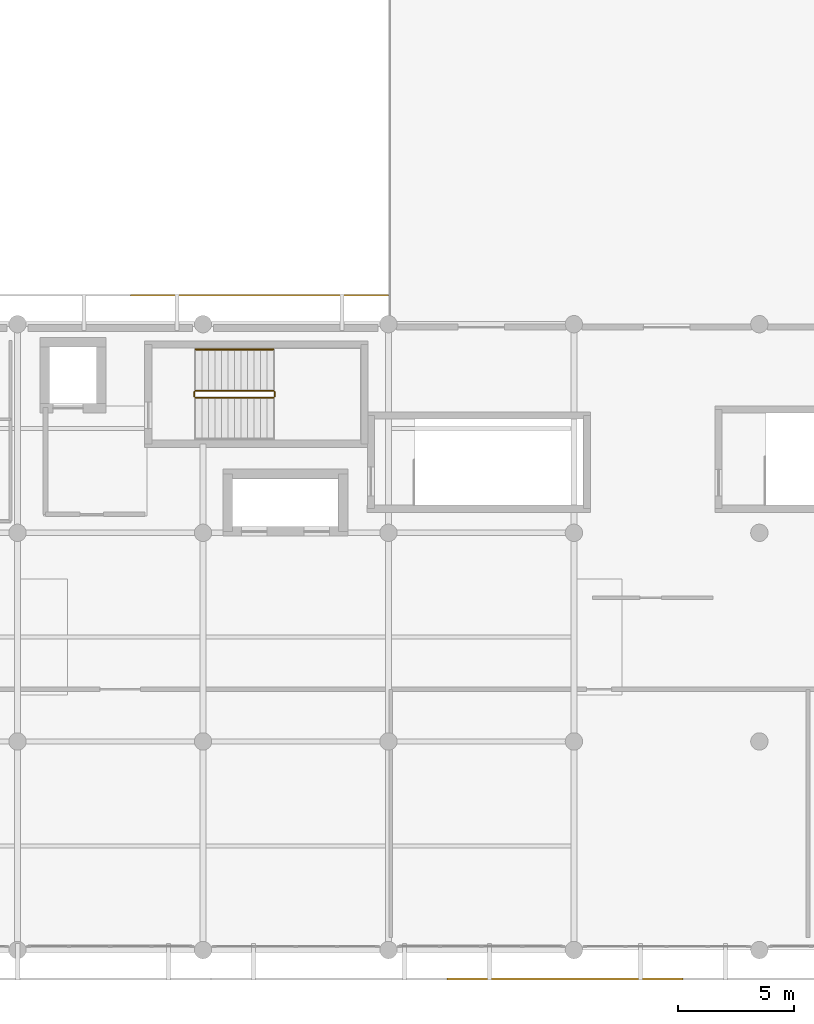
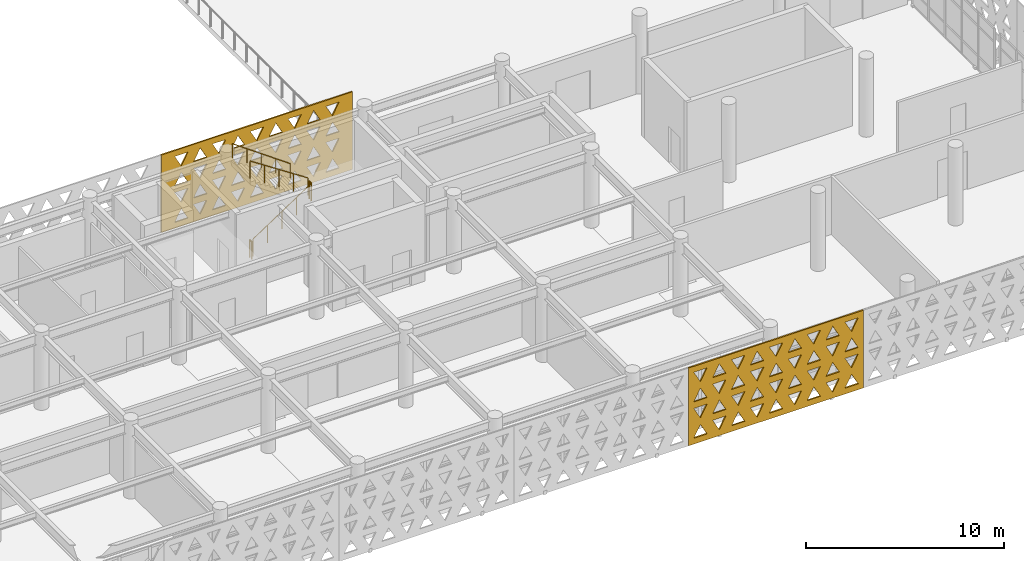
# One storey, part 31 of 33: 5 railings, 2 coverings.
"""IFC4 building model written with IfcOpenShell, lengths in metres."""

from ifc_helpers import new_model, si_unit, direction, frame, origin, origin_2d, place, context, subcontext, project, spatial, polyline, circle, outline, extrude, material, layer, layer_set, type_object, element, save


model = new_model("IFC4")

# Units and contexts
model_context = context("Model", 3, precision=1e-05, world=origin(), true_north=direction((0.0, 1.0)))
body_context = subcontext(model_context, "Body", "Model", "MODEL_VIEW")
ifc_project = project(units=[si_unit("LENGTHUNIT", "METRE"), si_unit("AREAUNIT", "SQUARE_METRE"), si_unit("VOLUMEUNIT", "CUBIC_METRE"), si_unit("PLANEANGLEUNIT", "RADIAN"), si_unit("MASSUNIT", "GRAM", prefix="KILO")], contexts=[model_context])

# Site, building, storey
site_placement = place(None, origin())
site = spatial("IfcSite", under=ifc_project, at=site_placement, CompositionType="ELEMENT")
building_placement = place(site_placement, origin())
building = spatial("IfcBuilding", under=site, at=building_placement, Name="Tlacozan Convention Centre", CompositionType="ELEMENT")
storey_placement = place(building_placement, frame((0.0, 0.0, 16.199951171875)))
storey = spatial("IfcBuildingStorey", under=building, at=storey_placement, Name="L03", CompositionType="ELEMENT", Elevation=16.199951171875)

# Railings
ifc_material_1 = material(Name="Architectural Painted Galvanised Steel Railing", Category="steel")
railing_type_1 = type_object("IfcRailingType", Name="Stair Wall Handrail 900", PredefinedType="HANDRAIL", material=ifc_material_1)
railing_1_placement = place(storey_placement, frame((83.0400390625, 25.909912109375, 2.584716796875)))
element("IfcRailing", 1, at=railing_1_placement, inside=storey, type_object=railing_type_1, Name="L03 ST-02 stair handrail 2", PredefinedType="HANDRAIL", context=body_context, shape_type="SweptSolid", body=[
    extrude(circle(Radius=0.02392578125, at=origin_2d()), frame((0.0, 0.0, 0.8759765625), z_axis=(-0.813753445783, 0.0, 0.581210228297), x_axis=(0.0, -1.0, 0.0)), (0.0, 0.0, 1.0), 4.129150390625),
    extrude(circle(Radius=0.02099609375, at=origin_2d()), origin(), (0.0, 0.0, 1.0), 0.851806640625),
    extrude(circle(Radius=0.02099609375, at=origin_2d()), frame((-0.840087890625, 0.0, 0.60009765625)), (0.0, 0.0, 1.0), 0.851806640625),
    extrude(circle(Radius=0.02099609375, at=origin_2d()), frame((-1.68017578125, 0.0, 1.199951171875)), (0.0, 0.0, 1.0), 0.851806640625),
    extrude(circle(Radius=0.02099609375, at=origin_2d()), frame((-2.52001953125, 0.0, 1.7998046875)), (0.0, 0.0, 1.0), 0.851806640625),
    extrude(circle(Radius=0.02099609375, at=origin_2d()), frame((-3.360107421875, 0.0, 2.39990234375)), (0.0, 0.0, 1.0), 0.851806640625),
])
railing_type_2 = type_object("IfcRailingType", Name="Stair Well Guardrail 1100", PredefinedType="GUARDRAIL", material=ifc_material_1)
railing_2_placement = place(storey_placement, frame((79.679931640625, 23.830078125, 0.1845703125)))
element("IfcRailing", 2, at=railing_2_placement, inside=storey, type_object=railing_type_2, Name="L03 ST-02 stair guard 1", PredefinedType="GUARDRAIL", context=body_context, shape_type="SweptSolid", body=[
    extrude(circle(Radius=0.02392578125, at=origin_2d()), frame((0.0, 0.0, 1.076171875), z_axis=(0.834848600103, 0.0, 0.550479622607), x_axis=(0.0, 1.0, 0.0)), (0.0, 0.0, 1.0), 4.02490234375),
    extrude(circle(Radius=0.02099609375, at=origin_2d()), origin(), (0.0, 0.0, 1.0), 1.052001953125),
    extrude(circle(Radius=0.02099609375, at=origin_2d()), frame((0.840087890625, 0.0, 0.553955078125)), (0.0, 0.0, 1.0), 1.052001953125),
    extrude(circle(Radius=0.02099609375, at=origin_2d()), frame((1.68017578125, 0.0, 1.10791015625)), (0.0, 0.0, 1.0), 1.052001953125),
    extrude(circle(Radius=0.02099609375, at=origin_2d()), frame((2.52001953125, 0.0, 1.66162109375)), (0.0, 0.0, 1.0), 1.052001953125),
    extrude(circle(Radius=0.02099609375, at=origin_2d()), frame((3.360107421875, 0.0, 2.215576171875)), (0.0, 0.0, 1.0), 1.052001953125),
])
railing_3_placement = place(storey_placement, frame((83.090087890625, 23.8798828125, 2.400146484375)))
element("IfcRailing", 3, at=railing_3_placement, inside=storey, type_object=railing_type_2, Name="L03 ST-02 stair guard 2", PredefinedType="GUARDRAIL", context=body_context, shape_type="SweptSolid", body=[
    extrude(circle(Radius=0.02392578125, at=origin_2d()), frame((0.0, 0.0, 1.076171875), z_axis=(0.0, 1.0, 0.0), x_axis=(-1.0, 0.0, 0.0)), (0.0, 0.0, 1.0), 0.2001953125),
    extrude(circle(Radius=0.02099609375, at=origin_2d()), origin(), (0.0, 0.0, 1.0), 1.052001953125),
    extrude(circle(Radius=0.02099609375, at=origin_2d()), frame((0.0, 0.2001953125, 0.0)), (0.0, 0.0, 1.0), 1.052001953125),
])
railing_4_placement = place(storey_placement, frame((83.0400390625, 24.1298828125, 2.584716796875)))
element("IfcRailing", 4, at=railing_4_placement, inside=storey, type_object=railing_type_2, Name="L03 ST-02 stair guard 3", PredefinedType="GUARDRAIL", context=body_context, shape_type="SweptSolid", body=[
    extrude(circle(Radius=0.02392578125, at=origin_2d()), frame((0.0, 0.0, 1.076171875), z_axis=(-0.834876476806, 0.0, 0.550437342915), x_axis=(0.0, -1.0, 0.0)), (0.0, 0.0, 1.0), 4.024658203125),
    extrude(circle(Radius=0.02099609375, at=origin_2d()), origin(), (0.0, 0.0, 1.0), 1.052001953125),
    extrude(circle(Radius=0.02099609375, at=origin_2d()), frame((-0.840087890625, 0.0, 0.5537109375)), (0.0, 0.0, 1.0), 1.052001953125),
    extrude(circle(Radius=0.02099609375, at=origin_2d()), frame((-1.68017578125, 0.0, 1.107666015625)), (0.0, 0.0, 1.0), 1.052001953125),
    extrude(circle(Radius=0.02099609375, at=origin_2d()), frame((-2.52001953125, 0.0, 1.66162109375)), (0.0, 0.0, 1.0), 1.052001953125),
    extrude(circle(Radius=0.02099609375, at=origin_2d()), frame((-3.360107421875, 0.0, 2.21533203125)), (0.0, 0.0, 1.0), 1.052001953125),
])
railing_5_placement = place(storey_placement, frame((79.6298828125, 23.8798828125, 0.0)))
element("IfcRailing", 5, at=railing_5_placement, inside=storey, type_object=railing_type_2, Name="L03 ST-02 stair guard 4", PredefinedType="GUARDRAIL", context=body_context, shape_type="SweptSolid", body=[
    extrude(circle(Radius=0.02392578125, at=origin_2d()), frame((0.0, 0.0, 1.076171875), z_axis=(0.0, 1.0, 0.0), x_axis=(-1.0, 0.0, 0.0)), (0.0, 0.0, 1.0), 0.2001953125),
    extrude(circle(Radius=0.02099609375, at=origin_2d()), origin(), (0.0, 0.0, 1.0), 1.052001953125),
    extrude(circle(Radius=0.02099609375, at=origin_2d()), frame((0.0, 0.2001953125, 0.0)), (0.0, 0.0, 1.0), 1.052001953125),
])

# Coverings
ifc_material_2 = material(Name="Toluca Fired Terracotta Masonry Solar Screen", Category="masonry")
ifc_layer = layer(ifc_material_2, 0.080078125)
ifc_layer_set = layer_set([ifc_layer], Name="Toluca Fired Terracotta Masonry Solar Screen")
covering_type = type_object("IfcCoveringType", Name="Terracotta Triangle Solar Screen 80", PredefinedType="USERDEFINED", material=ifc_layer_set)
covering_1_placement = place(storey_placement, frame((90.527099609375, -1.25, -0.030029296875), z_axis=(0.0, 0.0, 1.0), x_axis=(1.0, 0.0, 0.0)))
element("IfcCovering", 6, at=covering_1_placement, inside=storey, type_object=covering_type, Name="L03 Terracotta Triangle Screen 60", ObjectType="SCREEN", PredefinedType="USERDEFINED", context=body_context, shape_type="SweptSolid", body=[
    extrude(outline(polyline([(0.0, 0.0), (10.1708984375, 0.0), (10.1708984375, 4.780029296875), (0.0, 4.780029296875), (0.0, 0.0)]), holes=[polyline([(0.29931640625, 0.360107421875), (1.071533203125, 0.360107421875), (0.685546875, 1.074951171875), (0.29931640625, 0.360107421875)]), polyline([(1.3994140625, 1.074951171875), (2.17138671875, 1.074951171875), (1.785400390625, 0.360107421875), (1.3994140625, 1.074951171875)]), polyline([(2.49951171875, 0.360107421875), (3.271484375, 0.360107421875), (2.885498046875, 1.074951171875), (2.49951171875, 0.360107421875)]), polyline([(3.599365234375, 1.074951171875), (4.37158203125, 1.074951171875), (3.9853515625, 0.360107421875), (3.599365234375, 1.074951171875)]), polyline([(4.699462890625, 0.360107421875), (5.471435546875, 0.360107421875), (5.08544921875, 1.074951171875), (4.699462890625, 0.360107421875)]), polyline([(5.79931640625, 1.074951171875), (6.571533203125, 1.074951171875), (6.185546875, 0.360107421875), (5.79931640625, 1.074951171875)]), polyline([(6.8994140625, 0.360107421875), (7.67138671875, 0.360107421875), (7.285400390625, 1.074951171875), (6.8994140625, 0.360107421875)]), polyline([(7.99951171875, 1.074951171875), (8.771484375, 1.074951171875), (8.385498046875, 0.360107421875), (7.99951171875, 1.074951171875)]), polyline([(9.099365234375, 0.360107421875), (9.87158203125, 0.360107421875), (9.4853515625, 1.074951171875), (9.099365234375, 0.360107421875)]), polyline([(0.29931640625, 2.18994140625), (1.071533203125, 2.18994140625), (0.685546875, 1.47509765625), (0.29931640625, 2.18994140625)]), polyline([(1.3994140625, 1.47509765625), (2.17138671875, 1.47509765625), (1.785400390625, 2.18994140625), (1.3994140625, 1.47509765625)]), polyline([(2.49951171875, 2.18994140625), (3.271484375, 2.18994140625), (2.885498046875, 1.47509765625), (2.49951171875, 2.18994140625)]), polyline([(3.599365234375, 1.47509765625), (4.37158203125, 1.47509765625), (3.9853515625, 2.18994140625), (3.599365234375, 1.47509765625)]), polyline([(4.699462890625, 2.18994140625), (5.471435546875, 2.18994140625), (5.08544921875, 1.47509765625), (4.699462890625, 2.18994140625)]), polyline([(5.79931640625, 1.47509765625), (6.571533203125, 1.47509765625), (6.185546875, 2.18994140625), (5.79931640625, 1.47509765625)]), polyline([(6.8994140625, 2.18994140625), (7.67138671875, 2.18994140625), (7.285400390625, 1.47509765625), (6.8994140625, 2.18994140625)]), polyline([(7.99951171875, 1.47509765625), (8.771484375, 1.47509765625), (8.385498046875, 2.18994140625), (7.99951171875, 1.47509765625)]), polyline([(9.099365234375, 2.18994140625), (9.87158203125, 2.18994140625), (9.4853515625, 1.47509765625), (9.099365234375, 2.18994140625)]), polyline([(0.29931640625, 2.590087890625), (1.071533203125, 2.590087890625), (0.685546875, 3.304931640625), (0.29931640625, 2.590087890625)]), polyline([(1.3994140625, 3.304931640625), (2.17138671875, 3.304931640625), (1.785400390625, 2.590087890625), (1.3994140625, 3.304931640625)]), polyline([(2.49951171875, 2.590087890625), (3.271484375, 2.590087890625), (2.885498046875, 3.304931640625), (2.49951171875, 2.590087890625)]), polyline([(3.599365234375, 3.304931640625), (4.37158203125, 3.304931640625), (3.9853515625, 2.590087890625), (3.599365234375, 3.304931640625)]), polyline([(4.699462890625, 2.590087890625), (5.471435546875, 2.590087890625), (5.08544921875, 3.304931640625), (4.699462890625, 2.590087890625)]), polyline([(5.79931640625, 3.304931640625), (6.571533203125, 3.304931640625), (6.185546875, 2.590087890625), (5.79931640625, 3.304931640625)]), polyline([(6.8994140625, 2.590087890625), (7.67138671875, 2.590087890625), (7.285400390625, 3.304931640625), (6.8994140625, 2.590087890625)]), polyline([(7.99951171875, 3.304931640625), (8.771484375, 3.304931640625), (8.385498046875, 2.590087890625), (7.99951171875, 3.304931640625)]), polyline([(9.099365234375, 2.590087890625), (9.87158203125, 2.590087890625), (9.4853515625, 3.304931640625), (9.099365234375, 2.590087890625)]), polyline([(0.29931640625, 4.419921875), (1.071533203125, 4.419921875), (0.685546875, 3.705078125), (0.29931640625, 4.419921875)]), polyline([(1.3994140625, 3.705078125), (2.17138671875, 3.705078125), (1.785400390625, 4.419921875), (1.3994140625, 3.705078125)]), polyline([(2.49951171875, 4.419921875), (3.271484375, 4.419921875), (2.885498046875, 3.705078125), (2.49951171875, 4.419921875)]), polyline([(3.599365234375, 3.705078125), (4.37158203125, 3.705078125), (3.9853515625, 4.419921875), (3.599365234375, 3.705078125)]), polyline([(4.699462890625, 4.419921875), (5.471435546875, 4.419921875), (5.08544921875, 3.705078125), (4.699462890625, 4.419921875)]), polyline([(5.79931640625, 3.705078125), (6.571533203125, 3.705078125), (6.185546875, 4.419921875), (5.79931640625, 3.705078125)]), polyline([(6.8994140625, 4.419921875), (7.67138671875, 4.419921875), (7.285400390625, 3.705078125), (6.8994140625, 4.419921875)]), polyline([(7.99951171875, 3.705078125), (8.771484375, 3.705078125), (8.385498046875, 4.419921875), (7.99951171875, 3.705078125)]), polyline([(9.099365234375, 4.419921875), (9.87158203125, 4.419921875), (9.4853515625, 3.705078125), (9.099365234375, 4.419921875)])]), frame((0.0, 0.0400390625, 0.0), z_axis=(0.0, -1.0, 0.0), x_axis=(1.0, 0.0, 0.0)), (0.0, 0.0, 1.0), 0.080078125),
])
covering_2_placement = place(storey_placement, frame((76.870849609375, 28.25, -0.030029296875), z_axis=(0.0, 0.0, 1.0), x_axis=(1.0, 0.0, 0.0)))
element("IfcCovering", 7, at=covering_2_placement, inside=storey, type_object=covering_type, Name="L03 Terracotta Triangle Screen 76", ObjectType="SCREEN", PredefinedType="USERDEFINED", context=body_context, shape_type="SweptSolid", body=[
    extrude(outline(polyline([(0.0, 0.0), (11.127197265625, 0.0), (11.127197265625, 4.780029296875), (0.0, 4.780029296875), (0.0, 0.0)]), holes=[polyline([(0.777587890625, 0.360107421875), (1.549560546875, 0.360107421875), (1.16357421875, 1.074951171875), (0.777587890625, 0.360107421875)]), polyline([(1.877685546875, 1.074951171875), (2.649658203125, 1.074951171875), (2.263671875, 0.360107421875), (1.877685546875, 1.074951171875)]), polyline([(2.9775390625, 0.360107421875), (3.74951171875, 0.360107421875), (3.363525390625, 1.074951171875), (2.9775390625, 0.360107421875)]), polyline([(4.07763671875, 1.074951171875), (4.849609375, 1.074951171875), (4.463623046875, 0.360107421875), (4.07763671875, 1.074951171875)]), polyline([(5.177490234375, 0.360107421875), (5.94970703125, 0.360107421875), (5.5634765625, 1.074951171875), (5.177490234375, 0.360107421875)]), polyline([(6.277587890625, 1.074951171875), (7.049560546875, 1.074951171875), (6.66357421875, 0.360107421875), (6.277587890625, 1.074951171875)]), polyline([(7.377685546875, 0.360107421875), (8.149658203125, 0.360107421875), (7.763671875, 1.074951171875), (7.377685546875, 0.360107421875)]), polyline([(8.4775390625, 1.074951171875), (9.24951171875, 1.074951171875), (8.863525390625, 0.360107421875), (8.4775390625, 1.074951171875)]), polyline([(9.57763671875, 0.360107421875), (10.349609375, 0.360107421875), (9.963623046875, 1.074951171875), (9.57763671875, 0.360107421875)]), polyline([(0.777587890625, 2.18994140625), (1.549560546875, 2.18994140625), (1.16357421875, 1.47509765625), (0.777587890625, 2.18994140625)]), polyline([(1.877685546875, 1.47509765625), (2.649658203125, 1.47509765625), (2.263671875, 2.18994140625), (1.877685546875, 1.47509765625)]), polyline([(2.9775390625, 2.18994140625), (3.74951171875, 2.18994140625), (3.363525390625, 1.47509765625), (2.9775390625, 2.18994140625)]), polyline([(4.07763671875, 1.47509765625), (4.849609375, 1.47509765625), (4.463623046875, 2.18994140625), (4.07763671875, 1.47509765625)]), polyline([(5.177490234375, 2.18994140625), (5.94970703125, 2.18994140625), (5.5634765625, 1.47509765625), (5.177490234375, 2.18994140625)]), polyline([(6.277587890625, 1.47509765625), (7.049560546875, 1.47509765625), (6.66357421875, 2.18994140625), (6.277587890625, 1.47509765625)]), polyline([(7.377685546875, 2.18994140625), (8.149658203125, 2.18994140625), (7.763671875, 1.47509765625), (7.377685546875, 2.18994140625)]), polyline([(8.4775390625, 1.47509765625), (9.24951171875, 1.47509765625), (8.863525390625, 2.18994140625), (8.4775390625, 1.47509765625)]), polyline([(9.57763671875, 2.18994140625), (10.349609375, 2.18994140625), (9.963623046875, 1.47509765625), (9.57763671875, 2.18994140625)]), polyline([(0.777587890625, 2.590087890625), (1.549560546875, 2.590087890625), (1.16357421875, 3.304931640625), (0.777587890625, 2.590087890625)]), polyline([(1.877685546875, 3.304931640625), (2.649658203125, 3.304931640625), (2.263671875, 2.590087890625), (1.877685546875, 3.304931640625)]), polyline([(2.9775390625, 2.590087890625), (3.74951171875, 2.590087890625), (3.363525390625, 3.304931640625), (2.9775390625, 2.590087890625)]), polyline([(4.07763671875, 3.304931640625), (4.849609375, 3.304931640625), (4.463623046875, 2.590087890625), (4.07763671875, 3.304931640625)]), polyline([(5.177490234375, 2.590087890625), (5.94970703125, 2.590087890625), (5.5634765625, 3.304931640625), (5.177490234375, 2.590087890625)]), polyline([(6.277587890625, 3.304931640625), (7.049560546875, 3.304931640625), (6.66357421875, 2.590087890625), (6.277587890625, 3.304931640625)]), polyline([(7.377685546875, 2.590087890625), (8.149658203125, 2.590087890625), (7.763671875, 3.304931640625), (7.377685546875, 2.590087890625)]), polyline([(8.4775390625, 3.304931640625), (9.24951171875, 3.304931640625), (8.863525390625, 2.590087890625), (8.4775390625, 3.304931640625)]), polyline([(9.57763671875, 2.590087890625), (10.349609375, 2.590087890625), (9.963623046875, 3.304931640625), (9.57763671875, 2.590087890625)]), polyline([(0.777587890625, 4.419921875), (1.549560546875, 4.419921875), (1.16357421875, 3.705078125), (0.777587890625, 4.419921875)]), polyline([(1.877685546875, 3.705078125), (2.649658203125, 3.705078125), (2.263671875, 4.419921875), (1.877685546875, 3.705078125)]), polyline([(2.9775390625, 4.419921875), (3.74951171875, 4.419921875), (3.363525390625, 3.705078125), (2.9775390625, 4.419921875)]), polyline([(4.07763671875, 3.705078125), (4.849609375, 3.705078125), (4.463623046875, 4.419921875), (4.07763671875, 3.705078125)]), polyline([(5.177490234375, 4.419921875), (5.94970703125, 4.419921875), (5.5634765625, 3.705078125), (5.177490234375, 4.419921875)]), polyline([(6.277587890625, 3.705078125), (7.049560546875, 3.705078125), (6.66357421875, 4.419921875), (6.277587890625, 3.705078125)]), polyline([(7.377685546875, 4.419921875), (8.149658203125, 4.419921875), (7.763671875, 3.705078125), (7.377685546875, 4.419921875)]), polyline([(8.4775390625, 3.705078125), (9.24951171875, 3.705078125), (8.863525390625, 4.419921875), (8.4775390625, 3.705078125)]), polyline([(9.57763671875, 4.419921875), (10.349609375, 4.419921875), (9.963623046875, 3.705078125), (9.57763671875, 4.419921875)])]), frame((0.0, 0.0400390625, 0.0), z_axis=(0.0, -1.0, 0.0), x_axis=(1.0, 0.0, 0.0)), (0.0, 0.0, 1.0), 0.080078125),
])

save(model, "model.ifc")
